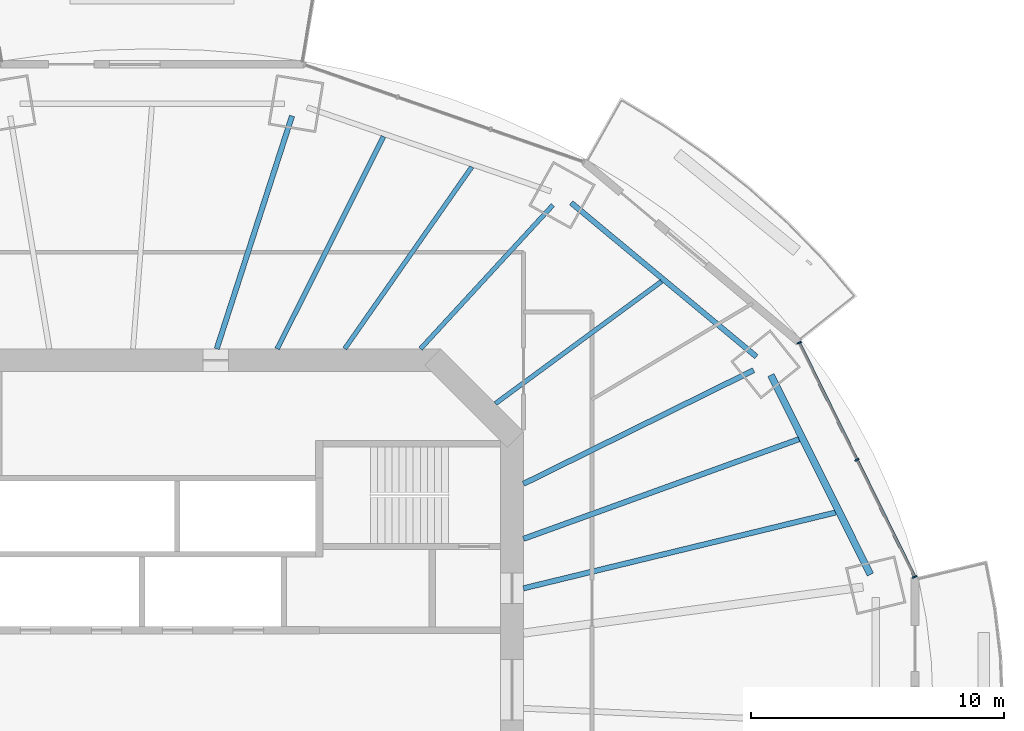
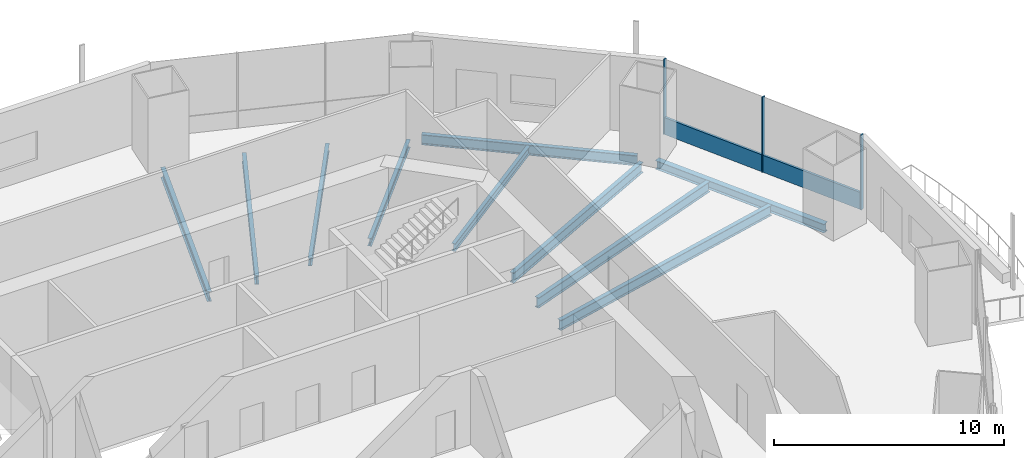
# One storey, part 7 of 19: 10 beams, 4 members, 1 element without a shape of its own.
"""IFC4 building model written with IfcOpenShell, lengths in metres."""

from ifc_helpers import new_model, si_unit, direction, frame, origin, origin_2d, place, context, subcontext, project, spatial, rectangle, i_section, extrude, material, material_profile, profile_set, type_object, element, aggregate, save


model = new_model("IFC4")

# Units and contexts
model_context = context("Model", 3, precision=1e-05, world=origin(), true_north=direction((0.0, 1.0)))
body_context = subcontext(model_context, "Body", "Model", "MODEL_VIEW")
ifc_project = project(units=[si_unit("LENGTHUNIT", "METRE"), si_unit("AREAUNIT", "SQUARE_METRE"), si_unit("VOLUMEUNIT", "CUBIC_METRE"), si_unit("PLANEANGLEUNIT", "RADIAN"), si_unit("MASSUNIT", "GRAM", prefix="KILO")], contexts=[model_context])

# Site, building, storey
site_placement = place(None, origin())
site = spatial("IfcSite", under=ifc_project, at=site_placement, CompositionType="ELEMENT")
building_placement = place(site_placement, origin())
building = spatial("IfcBuilding", under=site, at=building_placement, Name="Marenthal Gate Tower", CompositionType="ELEMENT")
storey_placement = place(building_placement, frame((0.0, 0.0, 227.449951171875)))
storey = spatial("IfcBuildingStorey", under=building, at=storey_placement, Name="L50", CompositionType="ELEMENT", Elevation=227.449951171875)

# Curtain wall, members
ifc_material_1 = material(Name="Aluminium and glass", Category="aluminium")
curtain_wall_type = type_object("IfcCurtainWallType", Name="Curtain wall typical mid", PredefinedType="NOTDEFINED", material=ifc_material_1)
curtain_wall_placement = place(storey_placement, origin())
curtain_wall = element("IfcCurtainWall", 1, at=curtain_wall_placement, inside=storey, type_object=curtain_wall_type, Name="Curtain wall L50 bay 1", PredefinedType="NOTDEFINED")
ifc_material_2 = material(Name="Aluminium", Category="aluminium")
ifc_material_profile_1 = material_profile(ifc_material_2, rectangle(XDim=0.179931640625, YDim=0.06005859375, at=origin_2d()), Name="60x180 aluminium mullion")
ifc_profile_set_1 = profile_set([ifc_material_profile_1], Name="Aluminium")
member_type_1 = type_object("IfcMemberType", Name="Mullion 60x180 typical mid", PredefinedType="MULLION", material=ifc_profile_set_1)
member_1_placement = place(storey_placement, frame((31.885009765625, 4.453369140625, 0.0), z_axis=(0.0, 0.0, 1.0), x_axis=(-0.896797507361, -0.442441217329, 0.0)))
member_1 = element("IfcMember", 2, at=member_1_placement, type_object=member_type_1, Name="Mullion L50 bay 1.1", PredefinedType="MULLION", context=body_context, shape_type="SweptSolid", body=[
    extrude(rectangle(XDim=0.179931640625, YDim=0.06005859375, at=origin_2d()), origin(), (0.0, 0.0, 1.0), 3.969970703125),
])
member_2_placement = place(storey_placement, frame((29.607177734375, 9.0703125, 0.0), z_axis=(0.0, 0.0, 1.0), x_axis=(-0.896797507361, -0.442441217329, 0.0)))
member_2 = element("IfcMember", 3, at=member_2_placement, type_object=member_type_1, Name="Mullion L50 bay 1.2", PredefinedType="MULLION", context=body_context, shape_type="SweptSolid", body=[
    extrude(rectangle(XDim=0.179931640625, YDim=0.06005859375, at=origin_2d()), origin(), (0.0, 0.0, 1.0), 3.969970703125),
])
member_3_placement = place(storey_placement, frame((27.329345703125, 13.687255859375, 0.0), z_axis=(0.0, 0.0, 1.0), x_axis=(-0.896797507361, -0.442441217329, 0.0)))
member_3 = element("IfcMember", 4, at=member_3_placement, type_object=member_type_1, Name="Mullion L50 bay 1.3", PredefinedType="MULLION", context=body_context, shape_type="SweptSolid", body=[
    extrude(rectangle(XDim=0.179931640625, YDim=0.06005859375, at=origin_2d()), origin(), (0.0, 0.0, 1.0), 3.969970703125),
])
ifc_material_3 = material(Name="Aluminium", Category="aluminium")
ifc_material_profile_2 = material_profile(ifc_material_3, rectangle(XDim=0.1201171875, YDim=0.89990234375, at=origin_2d()), Name="120x900 aluminium transom")
ifc_profile_set_2 = profile_set([ifc_material_profile_2], Name="Aluminium")
member_type_2 = type_object("IfcMemberType", Name="Transom 120x900 typical mid", PredefinedType="USERDEFINED", material=ifc_profile_set_2)
member_4_placement = place(storey_placement, frame((31.871826171875, 4.480224609375, 0.449951171875), z_axis=(-0.442437279824, 0.896799449945, 0.0), x_axis=(-0.896799449945, -0.442437279824, 0.0)))
member_4 = element("IfcMember", 5, at=member_4_placement, type_object=member_type_2, Name="Transom L50 bay 1", ObjectType="TRANSOM", PredefinedType="USERDEFINED", context=body_context, shape_type="SweptSolid", body=[
    extrude(rectangle(XDim=0.1201171875, YDim=0.89990234375, at=origin_2d()), origin(), (0.0, 0.0, 1.0), 10.236572265625),
])
aggregate(curtain_wall, [member_1, member_2, member_3, member_4])

# Beams
ifc_material_4 = material(Name="Steel S355", Category="steel")
ifc_material_profile_3 = material_profile(ifc_material_4, i_section(OverallWidth=0.180908203125, OverallDepth=0.4169921875, WebThickness=0.010986328125, FlangeThickness=0.018310546875, FilletRadius=0.01025390625, at=origin_2d()), Name="W410X85")
ifc_profile_set_3 = profile_set([ifc_material_profile_3], Name="Steel S355")
beam_type_1 = type_object("IfcBeamType", Name="W410X85 beam", PredefinedType="BEAM", material=ifc_profile_set_3)
beam_1_placement = place(storey_placement, frame((17.61328125, 19.1201171875, -0.388427734375), z_axis=(-0.677536620466, -0.735489039978, 0.0), x_axis=(0.735489039978, -0.677536620466, 0.0)))
element("IfcBeam", 6, at=beam_1_placement, inside=storey, type_object=beam_type_1, Name="BM-L50-03", PredefinedType="BEAM", context=body_context, shape_type="SweptSolid", body=[
    extrude(i_section(OverallWidth=0.180908203125, OverallDepth=0.4169921875, WebThickness=0.010986328125, FlangeThickness=0.018310546875, FilletRadius=0.01025390625, at=origin_2d()), origin(), (0.0, 0.0, 1.0), 7.70947265625),
])
beam_2_placement = place(storey_placement, frame((21.89892578125, 16.108154296875, -0.388427734375), z_axis=(-0.805545235742, -0.592534280168, 0.0), x_axis=(0.592534280168, -0.805545235742, 0.0)))
element("IfcBeam", 7, at=beam_2_placement, inside=storey, type_object=beam_type_1, Name="BM-L50-19", PredefinedType="BEAM", context=body_context, shape_type="SweptSolid", body=[
    extrude(i_section(OverallWidth=0.180908203125, OverallDepth=0.4169921875, WebThickness=0.010986328125, FlangeThickness=0.018310546875, FilletRadius=0.01025390625, at=origin_2d()), origin(), (0.0, 0.0, 1.0), 8.133056640625),
])
beam_3_placement = place(storey_placement, frame((14.410888671875, 20.62255859375, -0.388427734375), z_axis=(-0.572801154785, -0.81969435589, 0.0), x_axis=(0.81969435589, -0.572801154785, 0.0)))
element("IfcBeam", 8, at=beam_3_placement, inside=storey, type_object=beam_type_1, Name="BM-L50-20", PredefinedType="BEAM", context=body_context, shape_type="SweptSolid", body=[
    extrude(i_section(OverallWidth=0.180908203125, OverallDepth=0.4169921875, WebThickness=0.010986328125, FlangeThickness=0.018310546875, FilletRadius=0.01025390625, at=origin_2d()), origin(), (0.0, 0.0, 1.0), 8.750244140625),
])
ifc_material_5 = material(Name="Steel S355", Category="steel")
ifc_material_profile_4 = material_profile(ifc_material_5, i_section(OverallWidth=0.279052734375, OverallDepth=0.4619140625, WebThickness=0.0107421875, FlangeThickness=0.017333984375, FilletRadius=0.010009765625, at=origin_2d()), Name="W460X113")
ifc_profile_set_4 = profile_set([ifc_material_profile_4], Name="Steel S355")
beam_type_2 = type_object("IfcBeamType", Name="W460X113 beam", PredefinedType="BEAM", material=ifc_profile_set_4)
beam_4_placement = place(storey_placement, frame((30.13671875, 4.54345703125, -0.410888671875), z_axis=(-0.446158339693, 0.894954041235, 0.0), x_axis=(-0.894954041235, -0.446158339693, 0.0)))
element("IfcBeam", 9, at=beam_4_placement, inside=storey, type_object=beam_type_2, Name="BM-L50-41", PredefinedType="BEAM", context=body_context, shape_type="SweptSolid", body=[
    extrude(i_section(OverallWidth=0.279052734375, OverallDepth=0.4619140625, WebThickness=0.0107421875, FlangeThickness=0.017333984375, FilletRadius=0.010009765625, at=origin_2d()), origin(), (0.0, 0.0, 1.0), 8.794189453125),
])
ifc_material_6 = material(Name="Steel S355", Category="steel")
ifc_material_profile_5 = material_profile(ifc_material_6, i_section(OverallWidth=0.193115234375, OverallDepth=0.467041015625, WebThickness=0.011474609375, FlangeThickness=0.01904296875, FilletRadius=0.010009765625, at=origin_2d()), Name="W460X97")
ifc_profile_set_5 = profile_set([ifc_material_profile_5], Name="Steel S355")
beam_type_3 = type_object("IfcBeamType", Name="W460X97 beam", PredefinedType="BEAM", material=ifc_profile_set_5)
beam_5_placement = place(storey_placement, frame((10.928466796875, 21.82080078125, -0.413330078125), z_axis=(-0.447808070647, -0.894129706398, 0.0), x_axis=(0.894129706398, -0.447808070647, 0.0)))
element("IfcBeam", 10, at=beam_5_placement, inside=storey, type_object=beam_type_3, Name="BM-L50-21", PredefinedType="BEAM", context=body_context, shape_type="SweptSolid", body=[
    extrude(i_section(OverallWidth=0.193115234375, OverallDepth=0.467041015625, WebThickness=0.011474609375, FlangeThickness=0.01904296875, FilletRadius=0.010009765625, at=origin_2d()), origin(), (0.0, 0.0, 1.0), 9.362060546875),
])
ifc_material_7 = material(Name="Steel S355", Category="steel")
ifc_material_profile_6 = material_profile(ifc_material_7, i_section(OverallWidth=0.2099609375, OverallDepth=0.535888671875, WebThickness=0.010986328125, FlangeThickness=0.017333984375, FilletRadius=0.0126953125, at=origin_2d()), Name="W530X101")
ifc_profile_set_6 = profile_set([ifc_material_profile_6], Name="Steel S355")
beam_type_4 = type_object("IfcBeamType", Name="W530X101 beam", PredefinedType="BEAM", material=ifc_profile_set_6)
beam_6_placement = place(storey_placement, frame((7.3212890625, 22.6337890625, -0.447998046875), z_axis=(-0.30776977746, -0.951460857882, 0.0), x_axis=(0.951460857882, -0.30776977746, 0.0)))
element("IfcBeam", 11, at=beam_6_placement, inside=storey, type_object=beam_type_4, Name="BM-L50-04", PredefinedType="BEAM", context=body_context, shape_type="SweptSolid", body=[
    extrude(i_section(OverallWidth=0.2099609375, OverallDepth=0.535888671875, WebThickness=0.010986328125, FlangeThickness=0.017333984375, FilletRadius=0.0126953125, at=origin_2d()), origin(), (0.0, 0.0, 1.0), 9.65234375),
])
ifc_material_8 = material(Name="Steel S355", Category="steel")
ifc_material_profile_7 = material_profile(ifc_material_8, i_section(OverallWidth=0.2119140625, OverallDepth=0.5439453125, WebThickness=0.01318359375, FlangeThickness=0.021240234375, FilletRadius=0.0126953125, at=origin_2d()), Name="W530X123")
ifc_profile_set_7 = profile_set([ifc_material_profile_7], Name="Steel S355")
beam_type_5 = type_object("IfcBeamType", Name="W530X123 beam", PredefinedType="BEAM", material=ifc_profile_set_7)
beam_7_placement = place(storey_placement, frame((25.531982421875, 12.604248046875, -0.451904296875), z_axis=(-0.896691087208, -0.442656858212, 0.0), x_axis=(0.442656858212, -0.896691087208, 0.0)))
element("IfcBeam", 12, at=beam_7_placement, inside=storey, type_object=beam_type_5, Name="BM-L50-02", PredefinedType="BEAM", context=body_context, shape_type="SweptSolid", body=[
    extrude(i_section(OverallWidth=0.2119140625, OverallDepth=0.5439453125, WebThickness=0.01318359375, FlangeThickness=0.021240234375, FilletRadius=0.0126953125, at=origin_2d()), origin(), (0.0, 0.0, 1.0), 10.12841796875),
])
beam_8_placement = place(storey_placement, frame((28.760986328125, 6.990478515625, -0.451904296875), z_axis=(-0.971710884637, -0.236173573199, 0.0), x_axis=(0.236173573199, -0.971710884637, 0.0)))
element("IfcBeam", 13, at=beam_8_placement, inside=storey, type_object=beam_type_5, Name="BM-L50-17", PredefinedType="BEAM", context=body_context, shape_type="SweptSolid", body=[
    extrude(i_section(OverallWidth=0.2119140625, OverallDepth=0.5439453125, WebThickness=0.01318359375, FlangeThickness=0.021240234375, FilletRadius=0.0126953125, at=origin_2d()), origin(), (0.0, 0.0, 1.0), 12.66943359375),
])
beam_9_placement = place(storey_placement, frame((27.319091796875, 9.8828125, -0.451904296875), z_axis=(-0.94035581223, -0.340192513742, 0.0), x_axis=(0.340192513742, -0.94035581223, 0.0)))
element("IfcBeam", 14, at=beam_9_placement, inside=storey, type_object=beam_type_5, Name="BM-L50-18", PredefinedType="BEAM", context=body_context, shape_type="SweptSolid", body=[
    extrude(i_section(OverallWidth=0.2119140625, OverallDepth=0.5439453125, WebThickness=0.01318359375, FlangeThickness=0.021240234375, FilletRadius=0.0126953125, at=origin_2d()), origin(), (0.0, 0.0, 1.0), 11.55859375),
])
beam_10_placement = place(storey_placement, frame((25.641357421875, 13.136474609375, -0.451904296875), z_axis=(-0.769157352218, 0.639059439746, 0.0), x_axis=(-0.639059439746, -0.769157352218, 0.0)))
element("IfcBeam", 15, at=beam_10_placement, inside=storey, type_object=beam_type_5, Name="BM-L50-42", PredefinedType="BEAM", context=body_context, shape_type="SweptSolid", body=[
    extrude(i_section(OverallWidth=0.2119140625, OverallDepth=0.5439453125, WebThickness=0.01318359375, FlangeThickness=0.021240234375, FilletRadius=0.0126953125, at=origin_2d()), origin(), (0.0, 0.0, 1.0), 9.5048828125),
])

save(model, "model.ifc")
